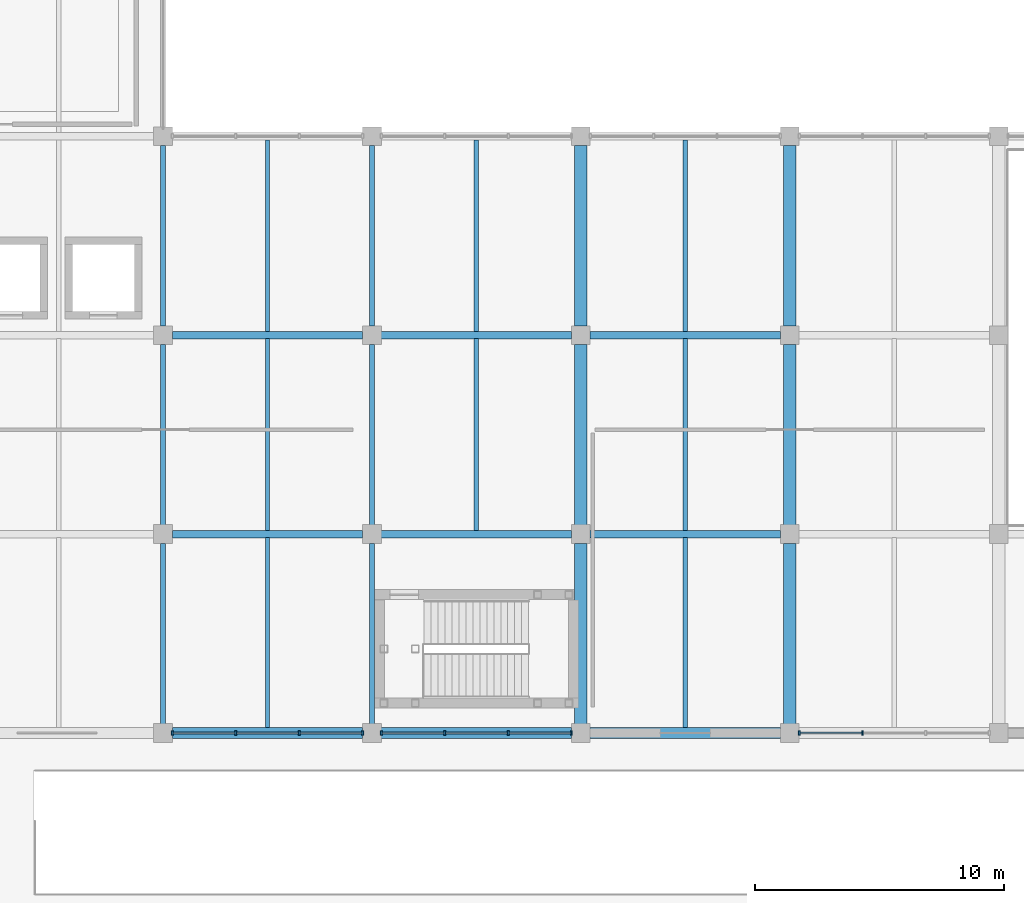
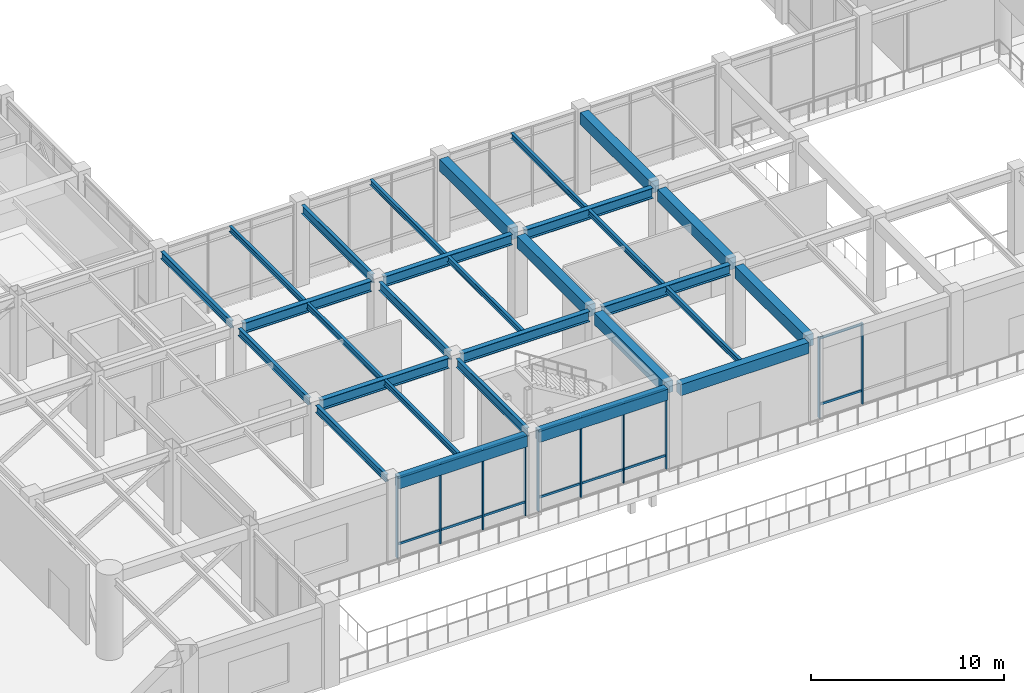
# One storey, part 24 of 79: 29 beams, 24 members, 3 elements without a shape of their own.
"""IFC4 building model written with IfcOpenShell, lengths in metres."""

from ifc_helpers import new_model, si_unit, direction, frame, origin, origin_2d, place, context, subcontext, project, spatial, rectangle, i_section, extrude, material, layer, layer_set, material_profile, profile_set, type_object, element, aggregate, save


model = new_model("IFC4")

# Units and contexts
model_context = context("Model", 3, precision=1e-05, world=origin(), true_north=direction((0.0, 1.0)))
body_context = subcontext(model_context, "Body", "Model", "MODEL_VIEW")
ifc_project = project(units=[si_unit("LENGTHUNIT", "METRE"), si_unit("AREAUNIT", "SQUARE_METRE"), si_unit("VOLUMEUNIT", "CUBIC_METRE"), si_unit("PLANEANGLEUNIT", "RADIAN"), si_unit("MASSUNIT", "GRAM", prefix="KILO")], contexts=[model_context])

# Site, building, storey
site_placement = place(None, origin())
site = spatial("IfcSite", under=ifc_project, at=site_placement, CompositionType="ELEMENT")
building_placement = place(site_placement, origin())
building = spatial("IfcBuilding", under=site, at=building_placement, Name="Naruveol Harbour Congress Hotel", CompositionType="ELEMENT")
storey_placement = place(building_placement, frame((0.0, 0.0, 6.0)))
storey = spatial("IfcBuildingStorey", under=building, at=storey_placement, Name="L01", CompositionType="ELEMENT", Elevation=6.0)

# Beams
ifc_material_1 = material(Name="Concrete C40/50", Category="concrete")
ifc_material_profile_1 = material_profile(ifc_material_1, rectangle(XDim=0.5, YDim=0.75, at=origin_2d()), Name="RCB-500x750")
ifc_profile_set_1 = profile_set([ifc_material_profile_1], Name="Concrete C40/50")
beam_type_1 = type_object("IfcBeamType", Name="RC FLOOR GIRDER 500X750", PredefinedType="BEAM", material=ifc_profile_set_1)
for number, where, z_axis, x_axis, name in (
    (1, (84.0, 8.37109375, 4.77490234375), (0.0, 1.0, 0.0), (-1.0, 0.0, 0.0), "Transverse girder L02 CB3"),
    (2, (84.0, 16.37109375, 4.77490234375), (0.0, 1.0, 0.0), (-1.0, 0.0, 0.0), "Transverse girder L02 CB3"),
    (3, (84.0, 24.37109375, 4.77490234375), (0.0, 1.0, 0.0), (-1.0, 0.0, 0.0), "Transverse girder L02 CB3"),
    (4, (92.39990234375, 8.37109375, 4.77490234375), (0.0, 1.0, 0.0), (-1.0, 0.0, 0.0), "Transverse girder L02 CB3"),
    (5, (92.39990234375, 16.37109375, 4.77490234375), (0.0, 1.0, 0.0), (-1.0, 0.0, 0.0), "Transverse girder L02 CB3"),
    (6, (92.39990234375, 24.37109375, 4.77490234375), (0.0, 1.0, 0.0), (-1.0, 0.0, 0.0), "Transverse girder L02 CB3"),
):
    element("IfcBeam", number, at=place(storey_placement, frame(where, z_axis=z_axis, x_axis=x_axis)), inside=storey, type_object=beam_type_1, Name=name, PredefinedType="BEAM", context=body_context, shape_type="SweptSolid", body=[
        extrude(rectangle(XDim=0.5, YDim=0.75, at=origin_2d()), origin(), (0.0, 0.0, 1.0), 7.2578125),
    ])
ifc_material_2 = material(Name="Concrete C40/50", Category="concrete")
ifc_material_profile_2 = material_profile(ifc_material_2, rectangle(XDim=0.449951171875, YDim=0.699951171875, at=origin_2d()), Name="RCB-450x700")
ifc_profile_set_2 = profile_set([ifc_material_profile_2], Name="Concrete C40/50")
beam_type_2 = type_object("IfcBeamType", Name="RC SPANDREL BEAM 450X700", PredefinedType="SPANDREL", material=ifc_profile_set_2)
for number, where, z_axis, x_axis, name in (
    (7, (67.571044921875, 8.0, 4.800048828125), (1.0, 0.0, 0.0), (0.0, 1.0, 0.0), "Floor girder L02 SPB1"),
    (8, (75.970947265625, 8.0, 4.800048828125), (1.0, 0.0, 0.0), (0.0, 1.0, 0.0), "Floor girder L02 SPB1"),
    (9, (84.37109375, 8.0, 4.800048828125), (1.0, 0.0, 0.0), (0.0, 1.0, 0.0), "Floor girder L02 SPB1"),
):
    element("IfcBeam", number, at=place(storey_placement, frame(where, z_axis=z_axis, x_axis=x_axis)), inside=storey, type_object=beam_type_2, Name=name, PredefinedType="SPANDREL", context=body_context, shape_type="SweptSolid", body=[
        extrude(rectangle(XDim=0.449951171875, YDim=0.699951171875, at=origin_2d()), origin(), (0.0, 0.0, 1.0), 7.657958984375),
    ])
ifc_material_3 = material(Name="Steel SN490", Category="steel")
ifc_material_profile_3 = material_profile(ifc_material_3, i_section(OverallWidth=0.300048828125, OverallDepth=0.64990234375, WebThickness=0.012939453125, FlangeThickness=0.02392578125, at=origin_2d()), Name="H-650x300x13x24")
ifc_profile_set_3 = profile_set([ifc_material_profile_3], Name="Steel SN490")
beam_type_3 = type_object("IfcBeamType", Name="STEEL ATRIUM TIE GIRDER H650", PredefinedType="BEAM", material=ifc_profile_set_3)
for number, where, z_axis, x_axis, name in (
    (10, (67.571044921875, 16.0, 4.824951171875), (1.0, 0.0, 0.0), (0.0, 1.0, 0.0), "Floor girder L02 SG2"),
    (11, (75.970947265625, 16.0, 4.824951171875), (1.0, 0.0, 0.0), (0.0, 1.0, 0.0), "Floor girder L02 SG2"),
    (12, (84.37109375, 16.0, 4.824951171875), (1.0, 0.0, 0.0), (0.0, 1.0, 0.0), "Floor girder L02 SG2"),
    (13, (67.571044921875, 24.0, 4.824951171875), (1.0, 0.0, 0.0), (0.0, 1.0, 0.0), "Floor girder L02 SG2"),
    (14, (75.970947265625, 24.0, 4.824951171875), (1.0, 0.0, 0.0), (0.0, 1.0, 0.0), "Floor girder L02 SG2"),
    (15, (84.37109375, 24.0, 4.824951171875), (1.0, 0.0, 0.0), (0.0, 1.0, 0.0), "Floor girder L02 SG2"),
):
    element("IfcBeam", number, at=place(storey_placement, frame(where, z_axis=z_axis, x_axis=x_axis)), inside=storey, type_object=beam_type_3, Name=name, PredefinedType="BEAM", context=body_context, shape_type="SweptSolid", body=[
        extrude(i_section(OverallWidth=0.300048828125, OverallDepth=0.64990234375, WebThickness=0.012939453125, FlangeThickness=0.02392578125, at=origin_2d()), origin(), (0.0, 0.0, 1.0), 7.657958984375),
    ])
ifc_material_4 = material(Name="Steel SN490", Category="steel")
ifc_material_profile_4 = material_profile(ifc_material_4, i_section(OverallWidth=0.199951171875, OverallDepth=0.550048828125, WebThickness=0.010986328125, FlangeThickness=0.01708984375, at=origin_2d()), Name="H-550x200x11x17")
ifc_profile_set_4 = profile_set([ifc_material_profile_4], Name="Steel SN490")
beam_type_4 = type_object("IfcBeamType", Name="STEEL HALL GALLERY BEAM H550", PredefinedType="BEAM", material=ifc_profile_set_4)
for number, where, z_axis, x_axis, name in (
    (16, (75.60009765625, 8.37109375, 4.875), (0.0, 1.0, 0.0), (-1.0, 0.0, 0.0), "Transverse girder L02 SB4"),
    (17, (75.60009765625, 16.37109375, 4.875), (0.0, 1.0, 0.0), (-1.0, 0.0, 0.0), "Transverse girder L02 SB4"),
    (18, (75.60009765625, 24.37109375, 4.875), (0.0, 1.0, 0.0), (-1.0, 0.0, 0.0), "Transverse girder L02 SB4"),
):
    element("IfcBeam", number, at=place(storey_placement, frame(where, z_axis=z_axis, x_axis=x_axis)), inside=storey, type_object=beam_type_4, Name=name, PredefinedType="BEAM", context=body_context, shape_type="SweptSolid", body=[
        extrude(i_section(OverallWidth=0.199951171875, OverallDepth=0.550048828125, WebThickness=0.010986328125, FlangeThickness=0.01708984375, at=origin_2d()), origin(), (0.0, 0.0, 1.0), 7.2578125),
    ])
ifc_material_5 = material(Name="Steel SN490", Category="steel")
ifc_material_profile_5 = material_profile(ifc_material_5, i_section(OverallWidth=0.175048828125, OverallDepth=0.35009765625, WebThickness=0.007080078125, FlangeThickness=0.010986328125, at=origin_2d()), Name="H-350x175x7x11")
ifc_profile_set_5 = profile_set([ifc_material_profile_5], Name="Steel SN490")
beam_type_5 = type_object("IfcBeamType", Name="STEEL SECONDARY JOIST H350", PredefinedType="JOIST", material=ifc_profile_set_5)
for number, where, z_axis, x_axis, name in (
    (19, (71.39990234375, 8.220947265625, 4.97509765625), (0.0, 1.0, 0.0), (-1.0, 0.0, 0.0), "Secondary floor joist L02 SJ2"),
    (20, (88.199951171875, 8.220947265625, 4.97509765625), (0.0, 1.0, 0.0), (-1.0, 0.0, 0.0), "Secondary floor joist L02 SJ2"),
):
    element("IfcBeam", number, at=place(storey_placement, frame(where, z_axis=z_axis, x_axis=x_axis)), inside=storey, type_object=beam_type_5, Name=name, PredefinedType="JOIST", context=body_context, shape_type="SweptSolid", body=[
        extrude(i_section(OverallWidth=0.175048828125, OverallDepth=0.35009765625, WebThickness=0.007080078125, FlangeThickness=0.010986328125, at=origin_2d()), origin(), (0.0, 0.0, 1.0), 7.633056640625),
    ])
for number, where, z_axis, x_axis, name in (
    (21, (71.39990234375, 16.14599609375, 4.97509765625), (0.0, 1.0, 0.0), (-1.0, 0.0, 0.0), "Secondary floor joist L02 SJ2"),
    (22, (79.800048828125, 16.14599609375, 4.97509765625), (0.0, 1.0, 0.0), (-1.0, 0.0, 0.0), "Secondary floor joist L02 SJ2"),
    (23, (88.199951171875, 16.14599609375, 4.97509765625), (0.0, 1.0, 0.0), (-1.0, 0.0, 0.0), "Secondary floor joist L02 SJ2"),
    (24, (71.39990234375, 24.14599609375, 4.97509765625), (0.0, 1.0, 0.0), (-1.0, 0.0, 0.0), "Secondary floor joist L02 SJ2"),
    (25, (79.800048828125, 24.14599609375, 4.97509765625), (0.0, 1.0, 0.0), (-1.0, 0.0, 0.0), "Secondary floor joist L02 SJ2"),
    (26, (88.199951171875, 24.14599609375, 4.97509765625), (0.0, 1.0, 0.0), (-1.0, 0.0, 0.0), "Secondary floor joist L02 SJ2"),
):
    element("IfcBeam", number, at=place(storey_placement, frame(where, z_axis=z_axis, x_axis=x_axis)), inside=storey, type_object=beam_type_5, Name=name, PredefinedType="JOIST", context=body_context, shape_type="SweptSolid", body=[
        extrude(i_section(OverallWidth=0.175048828125, OverallDepth=0.35009765625, WebThickness=0.007080078125, FlangeThickness=0.010986328125, at=origin_2d()), origin(), (0.0, 0.0, 1.0), 7.7080078125),
    ])
ifc_material_6 = material(Name="Steel SN490", Category="steel")
ifc_material_profile_6 = material_profile(ifc_material_6, i_section(OverallWidth=0.199951171875, OverallDepth=0.449951171875, WebThickness=0.009033203125, FlangeThickness=0.013916015625, at=origin_2d()), Name="H-450x200x9x14")
ifc_profile_set_6 = profile_set([ifc_material_profile_6], Name="Steel SN490")
beam_type_6 = type_object("IfcBeamType", Name="STEEL SPANDREL EDGE BEAM H450", PredefinedType="SPANDREL", material=ifc_profile_set_6)
for number, where, z_axis, x_axis, name in (
    (27, (67.199951171875, 8.37109375, 4.925048828125), (0.0, 1.0, 0.0), (-1.0, 0.0, 0.0), "Transverse girder L02 SPB2"),
    (28, (67.199951171875, 16.37109375, 4.925048828125), (0.0, 1.0, 0.0), (-1.0, 0.0, 0.0), "Transverse girder L02 SPB2"),
    (29, (67.199951171875, 24.37109375, 4.925048828125), (0.0, 1.0, 0.0), (-1.0, 0.0, 0.0), "Transverse girder L02 SPB2"),
):
    element("IfcBeam", number, at=place(storey_placement, frame(where, z_axis=z_axis, x_axis=x_axis)), inside=storey, type_object=beam_type_6, Name=name, PredefinedType="SPANDREL", context=body_context, shape_type="SweptSolid", body=[
        extrude(i_section(OverallWidth=0.199951171875, OverallDepth=0.449951171875, WebThickness=0.009033203125, FlangeThickness=0.013916015625, at=origin_2d()), origin(), (0.0, 0.0, 1.0), 7.2578125),
    ])

# Curtain wall, members
ifc_material_7 = material(Name="Low-E Curtain Wall System", Category="glass")
ifc_layer = layer(ifc_material_7, 0.179931640625)
ifc_layer_set = layer_set([ifc_layer], Name="Low-E Curtain Wall System")
curtain_wall_type = type_object("IfcCurtainWallType", Name="UNITISED CURTAIN WALL CW-V4S-30 7650X5100", PredefinedType="USERDEFINED", material=ifc_layer_set)
curtain_wall_1_placement = place(storey_placement, origin())
curtain_wall_1 = element("IfcCurtainWall", 30, at=curtain_wall_1_placement, inside=storey, type_object=curtain_wall_type, Name="Unitised curtain wall CW-V4S-30 L01", ObjectType="UNITISED GLAZING", PredefinedType="USERDEFINED")
ifc_material_8 = material(Name="Anodised Aluminium 6063-T6", Category="aluminium")
ifc_material_profile_7 = material_profile(ifc_material_8, rectangle(XDim=0.074951171875, YDim=0.179931640625, at=origin_2d()), Name="ALU-75x180")
ifc_profile_set_7 = profile_set([ifc_material_profile_7], Name="Anodised Aluminium 6063-T6")
member_type_1 = type_object("IfcMemberType", Name="THERMAL ALUMINIUM MULLION 75X180", PredefinedType="MULLION", material=ifc_profile_set_7)
member_1_placement = place(storey_placement, frame((95.324951171875, 8.0, 0.0), z_axis=(0.0, 0.0, 1.0), x_axis=(1.0, 0.0, 0.0)))
member_1 = element("IfcMember", 31, at=member_1_placement, type_object=member_type_1, Name="Curtain wall mullion CW-L01-0071-M2", PredefinedType="MULLION", context=body_context, shape_type="SweptSolid", body=[
    extrude(rectangle(XDim=0.074951171875, YDim=0.179931640625, at=origin_2d()), origin(), (0.0, 0.0, 1.0), 5.10009765625),
])
member_2_placement = place(storey_placement, frame((92.77490234375, 8.0, 0.0), z_axis=(0.0, 0.0, 1.0), x_axis=(1.0, 0.0, 0.0)))
member_2 = element("IfcMember", 32, at=member_2_placement, type_object=member_type_1, Name="Curtain wall mullion CW-L01-0071-M3", PredefinedType="MULLION", context=body_context, shape_type="SweptSolid", body=[
    extrude(rectangle(XDim=0.074951171875, YDim=0.179931640625, at=origin_2d()), origin(), (0.0, 0.0, 1.0), 5.10009765625),
])

curtain_wall_2_placement = place(storey_placement, origin())
curtain_wall_2 = element("IfcCurtainWall", 33, at=curtain_wall_2_placement, inside=storey, type_object=curtain_wall_type, Name="Unitised curtain wall CW-V4S-30 L01", ObjectType="UNITISED GLAZING", PredefinedType="USERDEFINED")
member_3_placement = place(storey_placement, frame((83.625, 8.0, 0.0), z_axis=(0.0, 0.0, 1.0), x_axis=(1.0, 0.0, 0.0)))
member_3 = element("IfcMember", 34, at=member_3_placement, type_object=member_type_1, Name="Curtain wall mullion CW-L01-0072-M0", PredefinedType="MULLION", context=body_context, shape_type="SweptSolid", body=[
    extrude(rectangle(XDim=0.074951171875, YDim=0.179931640625, at=origin_2d()), origin(), (0.0, 0.0, 1.0), 5.10009765625),
])
member_4_placement = place(storey_placement, frame((81.074951171875, 8.0, 0.0), z_axis=(0.0, 0.0, 1.0), x_axis=(1.0, 0.0, 0.0)))
member_4 = element("IfcMember", 35, at=member_4_placement, type_object=member_type_1, Name="Curtain wall mullion CW-L01-0072-M1", PredefinedType="MULLION", context=body_context, shape_type="SweptSolid", body=[
    extrude(rectangle(XDim=0.074951171875, YDim=0.179931640625, at=origin_2d()), origin(), (0.0, 0.0, 1.0), 5.10009765625),
])
member_5_placement = place(storey_placement, frame((78.52490234375, 8.0, 0.0), z_axis=(0.0, 0.0, 1.0), x_axis=(1.0, 0.0, 0.0)))
member_5 = element("IfcMember", 36, at=member_5_placement, type_object=member_type_1, Name="Curtain wall mullion CW-L01-0072-M2", PredefinedType="MULLION", context=body_context, shape_type="SweptSolid", body=[
    extrude(rectangle(XDim=0.074951171875, YDim=0.179931640625, at=origin_2d()), origin(), (0.0, 0.0, 1.0), 5.10009765625),
])
member_6_placement = place(storey_placement, frame((75.97509765625, 8.0, 0.0), z_axis=(0.0, 0.0, 1.0), x_axis=(1.0, 0.0, 0.0)))
member_6 = element("IfcMember", 37, at=member_6_placement, type_object=member_type_1, Name="Curtain wall mullion CW-L01-0072-M3", PredefinedType="MULLION", context=body_context, shape_type="SweptSolid", body=[
    extrude(rectangle(XDim=0.074951171875, YDim=0.179931640625, at=origin_2d()), origin(), (0.0, 0.0, 1.0), 5.10009765625),
])

curtain_wall_3_placement = place(storey_placement, origin())
curtain_wall_3 = element("IfcCurtainWall", 38, at=curtain_wall_3_placement, inside=storey, type_object=curtain_wall_type, Name="Unitised curtain wall CW-V4S-30 L01", ObjectType="UNITISED GLAZING", PredefinedType="USERDEFINED")
member_7_placement = place(storey_placement, frame((75.22509765625, 8.0, 0.0), z_axis=(0.0, 0.0, 1.0), x_axis=(1.0, 0.0, 0.0)))
member_7 = element("IfcMember", 39, at=member_7_placement, type_object=member_type_1, Name="Curtain wall mullion CW-L01-0073-M0", PredefinedType="MULLION", context=body_context, shape_type="SweptSolid", body=[
    extrude(rectangle(XDim=0.074951171875, YDim=0.179931640625, at=origin_2d()), origin(), (0.0, 0.0, 1.0), 5.10009765625),
])
member_8_placement = place(storey_placement, frame((72.675048828125, 8.0, 0.0), z_axis=(0.0, 0.0, 1.0), x_axis=(1.0, 0.0, 0.0)))
member_8 = element("IfcMember", 40, at=member_8_placement, type_object=member_type_1, Name="Curtain wall mullion CW-L01-0073-M1", PredefinedType="MULLION", context=body_context, shape_type="SweptSolid", body=[
    extrude(rectangle(XDim=0.074951171875, YDim=0.179931640625, at=origin_2d()), origin(), (0.0, 0.0, 1.0), 5.10009765625),
])
member_9_placement = place(storey_placement, frame((70.125, 8.0, 0.0), z_axis=(0.0, 0.0, 1.0), x_axis=(1.0, 0.0, 0.0)))
member_9 = element("IfcMember", 41, at=member_9_placement, type_object=member_type_1, Name="Curtain wall mullion CW-L01-0073-M2", PredefinedType="MULLION", context=body_context, shape_type="SweptSolid", body=[
    extrude(rectangle(XDim=0.074951171875, YDim=0.179931640625, at=origin_2d()), origin(), (0.0, 0.0, 1.0), 5.10009765625),
])
member_10_placement = place(storey_placement, frame((67.574951171875, 8.0, 0.0), z_axis=(0.0, 0.0, 1.0), x_axis=(1.0, 0.0, 0.0)))
member_10 = element("IfcMember", 42, at=member_10_placement, type_object=member_type_1, Name="Curtain wall mullion CW-L01-0073-M3", PredefinedType="MULLION", context=body_context, shape_type="SweptSolid", body=[
    extrude(rectangle(XDim=0.074951171875, YDim=0.179931640625, at=origin_2d()), origin(), (0.0, 0.0, 1.0), 5.10009765625),
])

# Member
ifc_material_9 = material(Name="Anodised Aluminium 6063-T6", Category="aluminium")
ifc_material_profile_8 = material_profile(ifc_material_9, rectangle(XDim=0.074951171875, YDim=0.14990234375, at=origin_2d()), Name="ALU-75x150")
ifc_profile_set_8 = profile_set([ifc_material_profile_8], Name="Anodised Aluminium 6063-T6")
member_type_2 = type_object("IfcMemberType", Name="THERMAL ALUMINIUM TRANSOM 75X150", PredefinedType="USERDEFINED", material=ifc_profile_set_8)
member_11_placement = place(storey_placement, frame((95.284912109375, 8.0, 0.85009765625), z_axis=(-1.0, 0.0, 0.0), x_axis=(0.0, -1.0, 0.0)))
member_11 = element("IfcMember", 43, at=member_11_placement, type_object=member_type_2, Name="Curtain wall transom CW-L01-0071-T2.1", ObjectType="TRANSOM", PredefinedType="USERDEFINED", context=body_context, shape_type="SweptSolid", body=[
    extrude(rectangle(XDim=0.074951171875, YDim=0.14990234375, at=origin_2d()), origin(), (0.0, 0.0, 1.0), 2.469970703125),
])

member_12_placement = place(storey_placement, frame((95.284912109375, 8.0, 5.02001953125), z_axis=(-1.0, 0.0, 0.0), x_axis=(0.0, -1.0, 0.0)))
member_12 = element("IfcMember", 44, at=member_12_placement, type_object=member_type_2, Name="Curtain wall transom CW-L01-0071-T2.2", ObjectType="TRANSOM", PredefinedType="USERDEFINED", context=body_context, shape_type="SweptSolid", body=[
    extrude(rectangle(XDim=0.074951171875, YDim=0.14990234375, at=origin_2d()), origin(), (0.0, 0.0, 1.0), 2.469970703125),
])

aggregate(curtain_wall_1, [member_1, member_2, member_11, member_12])

member_13_placement = place(storey_placement, frame((83.5849609375, 8.0, 0.85009765625), z_axis=(-1.0, 0.0, 0.0), x_axis=(0.0, -1.0, 0.0)))
member_13 = element("IfcMember", 45, at=member_13_placement, type_object=member_type_2, Name="Curtain wall transom CW-L01-0072-T0.1", ObjectType="TRANSOM", PredefinedType="USERDEFINED", context=body_context, shape_type="SweptSolid", body=[
    extrude(rectangle(XDim=0.074951171875, YDim=0.14990234375, at=origin_2d()), origin(), (0.0, 0.0, 1.0), 2.469970703125),
])

member_14_placement = place(storey_placement, frame((83.5849609375, 8.0, 5.02001953125), z_axis=(-1.0, 0.0, 0.0), x_axis=(0.0, -1.0, 0.0)))
member_14 = element("IfcMember", 46, at=member_14_placement, type_object=member_type_2, Name="Curtain wall transom CW-L01-0072-T0.2", ObjectType="TRANSOM", PredefinedType="USERDEFINED", context=body_context, shape_type="SweptSolid", body=[
    extrude(rectangle(XDim=0.074951171875, YDim=0.14990234375, at=origin_2d()), origin(), (0.0, 0.0, 1.0), 2.469970703125),
])

member_15_placement = place(storey_placement, frame((81.034912109375, 8.0, 0.85009765625), z_axis=(-1.0, 0.0, 0.0), x_axis=(0.0, -1.0, 0.0)))
member_15 = element("IfcMember", 47, at=member_15_placement, type_object=member_type_2, Name="Curtain wall transom CW-L01-0072-T1.1", ObjectType="TRANSOM", PredefinedType="USERDEFINED", context=body_context, shape_type="SweptSolid", body=[
    extrude(rectangle(XDim=0.074951171875, YDim=0.14990234375, at=origin_2d()), origin(), (0.0, 0.0, 1.0), 2.469970703125),
])

member_16_placement = place(storey_placement, frame((81.034912109375, 8.0, 5.02001953125), z_axis=(-1.0, 0.0, 0.0), x_axis=(0.0, -1.0, 0.0)))
member_16 = element("IfcMember", 48, at=member_16_placement, type_object=member_type_2, Name="Curtain wall transom CW-L01-0072-T1.2", ObjectType="TRANSOM", PredefinedType="USERDEFINED", context=body_context, shape_type="SweptSolid", body=[
    extrude(rectangle(XDim=0.074951171875, YDim=0.14990234375, at=origin_2d()), origin(), (0.0, 0.0, 1.0), 2.469970703125),
])

member_17_placement = place(storey_placement, frame((78.485107421875, 8.0, 0.85009765625), z_axis=(-1.0, 0.0, 0.0), x_axis=(0.0, -1.0, 0.0)))
member_17 = element("IfcMember", 49, at=member_17_placement, type_object=member_type_2, Name="Curtain wall transom CW-L01-0072-T2.1", ObjectType="TRANSOM", PredefinedType="USERDEFINED", context=body_context, shape_type="SweptSolid", body=[
    extrude(rectangle(XDim=0.074951171875, YDim=0.14990234375, at=origin_2d()), origin(), (0.0, 0.0, 1.0), 2.47021484375),
])

member_18_placement = place(storey_placement, frame((78.485107421875, 8.0, 5.02001953125), z_axis=(-1.0, 0.0, 0.0), x_axis=(0.0, -1.0, 0.0)))
member_18 = element("IfcMember", 50, at=member_18_placement, type_object=member_type_2, Name="Curtain wall transom CW-L01-0072-T2.2", ObjectType="TRANSOM", PredefinedType="USERDEFINED", context=body_context, shape_type="SweptSolid", body=[
    extrude(rectangle(XDim=0.074951171875, YDim=0.14990234375, at=origin_2d()), origin(), (0.0, 0.0, 1.0), 2.47021484375),
])

aggregate(curtain_wall_2, [member_3, member_4, member_5, member_6, member_13, member_14, member_15, member_16, member_17, member_18])

member_19_placement = place(storey_placement, frame((75.18505859375, 8.0, 0.85009765625), z_axis=(-1.0, 0.0, 0.0), x_axis=(0.0, -1.0, 0.0)))
member_19 = element("IfcMember", 51, at=member_19_placement, type_object=member_type_2, Name="Curtain wall transom CW-L01-0073-T0.1", ObjectType="TRANSOM", PredefinedType="USERDEFINED", context=body_context, shape_type="SweptSolid", body=[
    extrude(rectangle(XDim=0.074951171875, YDim=0.14990234375, at=origin_2d()), origin(), (0.0, 0.0, 1.0), 2.469970703125),
])

member_20_placement = place(storey_placement, frame((75.18505859375, 8.0, 5.02001953125), z_axis=(-1.0, 0.0, 0.0), x_axis=(0.0, -1.0, 0.0)))
member_20 = element("IfcMember", 52, at=member_20_placement, type_object=member_type_2, Name="Curtain wall transom CW-L01-0073-T0.2", ObjectType="TRANSOM", PredefinedType="USERDEFINED", context=body_context, shape_type="SweptSolid", body=[
    extrude(rectangle(XDim=0.074951171875, YDim=0.14990234375, at=origin_2d()), origin(), (0.0, 0.0, 1.0), 2.469970703125),
])

member_21_placement = place(storey_placement, frame((72.635009765625, 8.0, 0.85009765625), z_axis=(-1.0, 0.0, 0.0), x_axis=(0.0, -1.0, 0.0)))
member_21 = element("IfcMember", 53, at=member_21_placement, type_object=member_type_2, Name="Curtain wall transom CW-L01-0073-T1.1", ObjectType="TRANSOM", PredefinedType="USERDEFINED", context=body_context, shape_type="SweptSolid", body=[
    extrude(rectangle(XDim=0.074951171875, YDim=0.14990234375, at=origin_2d()), origin(), (0.0, 0.0, 1.0), 2.469970703125),
])

member_22_placement = place(storey_placement, frame((72.635009765625, 8.0, 5.02001953125), z_axis=(-1.0, 0.0, 0.0), x_axis=(0.0, -1.0, 0.0)))
member_22 = element("IfcMember", 54, at=member_22_placement, type_object=member_type_2, Name="Curtain wall transom CW-L01-0073-T1.2", ObjectType="TRANSOM", PredefinedType="USERDEFINED", context=body_context, shape_type="SweptSolid", body=[
    extrude(rectangle(XDim=0.074951171875, YDim=0.14990234375, at=origin_2d()), origin(), (0.0, 0.0, 1.0), 2.469970703125),
])

member_23_placement = place(storey_placement, frame((70.0849609375, 8.0, 0.85009765625), z_axis=(-1.0, 0.0, 0.0), x_axis=(0.0, -1.0, 0.0)))
member_23 = element("IfcMember", 55, at=member_23_placement, type_object=member_type_2, Name="Curtain wall transom CW-L01-0073-T2.1", ObjectType="TRANSOM", PredefinedType="USERDEFINED", context=body_context, shape_type="SweptSolid", body=[
    extrude(rectangle(XDim=0.074951171875, YDim=0.14990234375, at=origin_2d()), origin(), (0.0, 0.0, 1.0), 2.469970703125),
])

member_24_placement = place(storey_placement, frame((70.0849609375, 8.0, 5.02001953125), z_axis=(-1.0, 0.0, 0.0), x_axis=(0.0, -1.0, 0.0)))
member_24 = element("IfcMember", 56, at=member_24_placement, type_object=member_type_2, Name="Curtain wall transom CW-L01-0073-T2.2", ObjectType="TRANSOM", PredefinedType="USERDEFINED", context=body_context, shape_type="SweptSolid", body=[
    extrude(rectangle(XDim=0.074951171875, YDim=0.14990234375, at=origin_2d()), origin(), (0.0, 0.0, 1.0), 2.469970703125),
])

aggregate(curtain_wall_3, [member_7, member_8, member_9, member_10, member_19, member_20, member_21, member_22, member_23, member_24])

save(model, "model.ifc")
